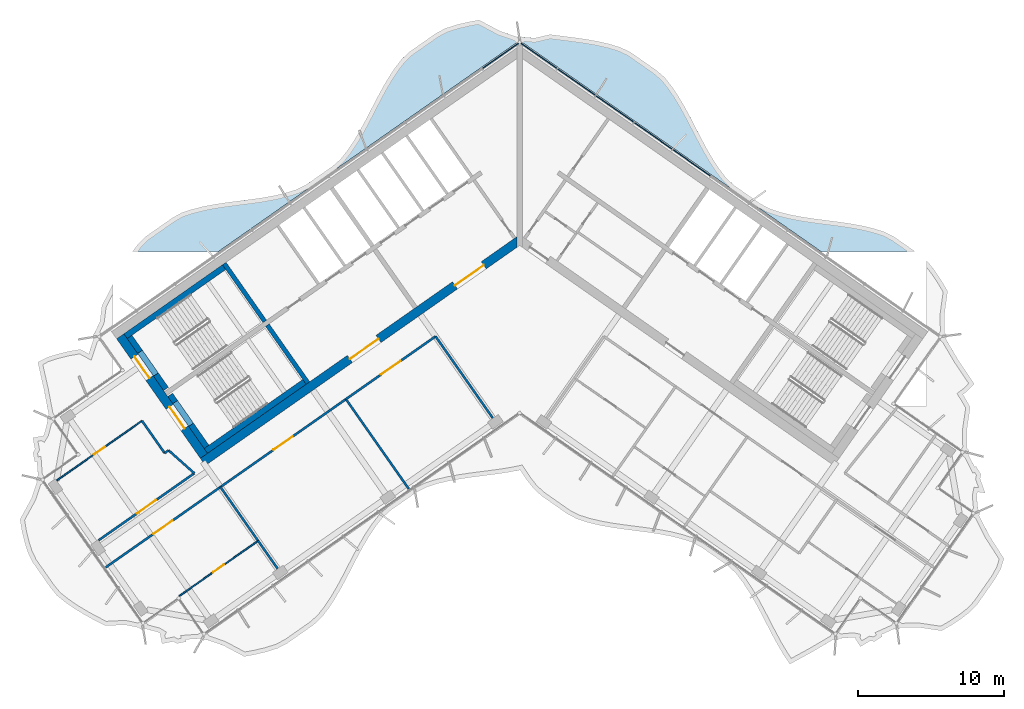
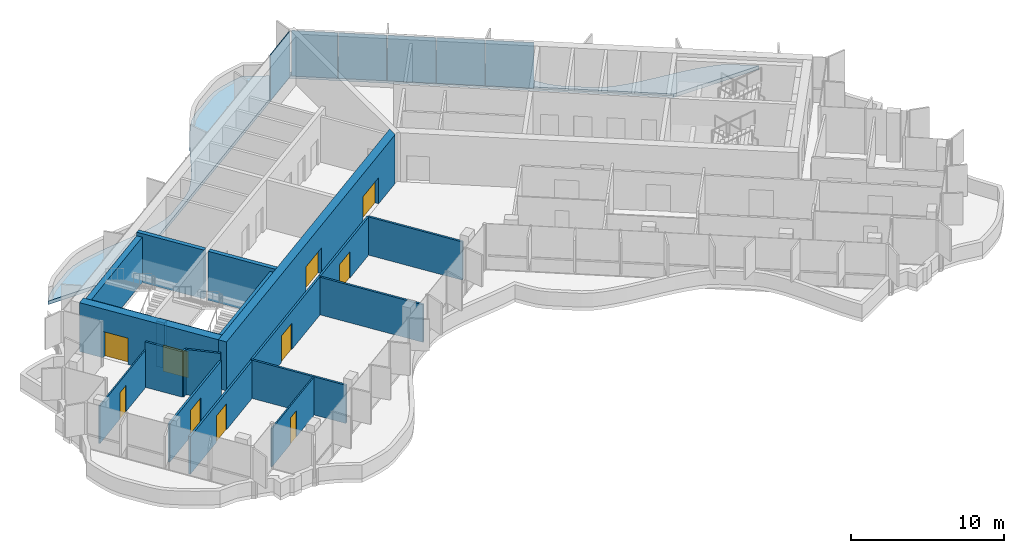
# One storey, part 9 of 18: 25 walls, 10 doors, 6 plates, 1 slab, 10 openings, 1 element without a shape of its own.
"""IFC4 building model written with IfcOpenShell, lengths in metres."""

from ifc_helpers import new_model, si_unit, direction, frame, frame_2d, origin, origin_2d, place, context, subcontext, project, spatial, polyline, rectangle, outline, extrude, material, layer, layer_set, type_object, element, fill, aggregate, save


model = new_model("IFC4")

# Units and contexts
model_context = context("Model", 3, precision=1e-05, world=origin(), true_north=direction((0.0, 1.0)))
body_context = subcontext(model_context, "Body", "Model", "MODEL_VIEW")
ifc_project = project(units=[si_unit("LENGTHUNIT", "METRE"), si_unit("AREAUNIT", "SQUARE_METRE"), si_unit("VOLUMEUNIT", "CUBIC_METRE"), si_unit("PLANEANGLEUNIT", "RADIAN"), si_unit("MASSUNIT", "GRAM", prefix="KILO")], contexts=[model_context])

# Site, building, storey
site_placement = place(None, origin())
site = spatial("IfcSite", under=ifc_project, at=site_placement, CompositionType="ELEMENT")
building_placement = place(site_placement, origin())
building = spatial("IfcBuilding", under=site, at=building_placement, Name="Tel Ilan Convention Tower", CompositionType="ELEMENT")
storey_placement = place(building_placement, frame((0.0, 0.0, 260.5)))
storey = spatial("IfcBuildingStorey", under=building, at=storey_placement, Name="L61", CompositionType="ELEMENT", Elevation=260.5)

# Curtain wall, plates
ifc_material_1 = material(Name="Aluminium, bronze anodised", Category="aluminium")
curtain_wall_type = type_object("IfcCurtainWallType", Name="CW2 STICK CURTAIN WALL, SPANDREL PANELS", PredefinedType="NOTDEFINED", material=ifc_material_1)
curtain_wall_placement = place(storey_placement, origin())
curtain_wall = element("IfcCurtainWall", 1, at=curtain_wall_placement, inside=storey, type_object=curtain_wall_type, Name="Curtain wall CW2-46.01", PredefinedType="NOTDEFINED")
ifc_material_2 = material(Name="Aluminium composite panel, bronze anodised", Category="aluminium")
ifc_layer_1 = layer(ifc_material_2, 0.06005859375)
ifc_layer_set_1 = layer_set([ifc_layer_1], Name="CW SPANDREL PANEL 60")
plate_type = type_object("IfcPlateType", Name="CW SPANDREL PANEL 60", PredefinedType="CURTAIN_PANEL", material=ifc_layer_set_1)
plate_1_placement = place(storey_placement, frame((11.789306640625, 4.44091796875, 0.0), z_axis=(0.0, 0.0, 1.0), x_axis=(-0.819152044289, 0.573576436351, 0.0)))
plate_1 = element("IfcPlate", 2, at=plate_1_placement, type_object=plate_type, Name="Spandrel panel", PredefinedType="CURTAIN_PANEL", context=body_context, shape_type="SweptSolid", body=[
    extrude(rectangle(XDim=3.15380859375, YDim=0.06005859375, at=origin_2d()), origin(), (0.0, 0.0, 1.0), 3.6201171875),
])
plate_2_placement = place(storey_placement, frame((9.15673828125, 6.284423828125, 0.0), z_axis=(0.0, 0.0, 1.0), x_axis=(-0.819152044289, 0.573576436351, 0.0)))
plate_2 = element("IfcPlate", 3, at=plate_2_placement, type_object=plate_type, Name="Spandrel panel", PredefinedType="CURTAIN_PANEL", context=body_context, shape_type="SweptSolid", body=[
    extrude(rectangle(XDim=3.15380859375, YDim=0.06005859375, at=origin_2d()), origin(), (0.0, 0.0, 1.0), 3.6201171875),
])
plate_3_placement = place(storey_placement, frame((6.524169921875, 8.127685546875, 0.0), z_axis=(0.0, 0.0, 1.0), x_axis=(-0.819152044289, 0.573576436351, 0.0)))
plate_3 = element("IfcPlate", 4, at=plate_3_placement, type_object=plate_type, Name="Spandrel panel", PredefinedType="CURTAIN_PANEL", context=body_context, shape_type="SweptSolid", body=[
    extrude(rectangle(XDim=3.15380859375, YDim=0.06005859375, at=origin_2d()), origin(), (0.0, 0.0, 1.0), 3.6201171875),
])
plate_4_placement = place(storey_placement, frame((3.8916015625, 9.97119140625, 0.0), z_axis=(0.0, 0.0, 1.0), x_axis=(-0.819152044289, 0.573576436351, 0.0)))
plate_4 = element("IfcPlate", 5, at=plate_4_placement, type_object=plate_type, Name="Spandrel panel", PredefinedType="CURTAIN_PANEL", context=body_context, shape_type="SweptSolid", body=[
    extrude(rectangle(XDim=3.15380859375, YDim=0.06005859375, at=origin_2d()), origin(), (0.0, 0.0, 1.0), 3.6201171875),
])
plate_5_placement = place(storey_placement, frame((1.303955078125, 11.782958984375, 0.0), z_axis=(0.0, 0.0, 1.0), x_axis=(-0.819152044289, 0.573576436351, 0.0)))
plate_5 = element("IfcPlate", 6, at=plate_5_placement, type_object=plate_type, Name="Spandrel panel", PredefinedType="CURTAIN_PANEL", context=body_context, shape_type="SweptSolid", body=[
    extrude(rectangle(XDim=3.0439453125, YDim=0.06005859375, at=origin_2d()), origin(), (0.0, 0.0, 1.0), 3.6201171875),
])
plate_6_placement = place(storey_placement, frame((-1.303955078125, 11.782958984375, 0.0), z_axis=(0.0, 0.0, 1.0), x_axis=(-0.819152044289, -0.573576436351, 0.0)))
plate_6 = element("IfcPlate", 7, at=plate_6_placement, type_object=plate_type, Name="Spandrel panel", PredefinedType="CURTAIN_PANEL", context=body_context, shape_type="SweptSolid", body=[
    extrude(rectangle(XDim=3.0439453125, YDim=0.06005859375, at=origin_2d()), origin(), (0.0, 0.0, 1.0), 3.6201171875),
])
aggregate(curtain_wall, [plate_1, plate_2, plate_3, plate_4, plate_5, plate_6])

# Slab
ifc_material_3 = material(Name="Concrete C40/50", Category="concrete")
ifc_layer_2 = layer(ifc_material_3, 0.280029296875)
ifc_layer_set_2 = layer_set([ifc_layer_2], Name="Edge Ledge Slab 280 mm C40/50")
slab_type = type_object("IfcSlabType", Name="Edge Ledge Slab 280 mm C40/50", PredefinedType="FLOOR", material=ifc_layer_set_2)
slab_placement = place(storey_placement, frame((0.0, 0.0, -0.280029296875)))
element("IfcSlab", 8, at=slab_placement, inside=storey, type_object=slab_type, Name="L61 edge ledge 2", PredefinedType="FLOOR", context=body_context, shape_type="SweptSolid", body=[
    extrude(outline(polyline([(-23.1982421875, 1.006591796875), (-22.4697265625, 1.250244140625), (-21.705322265625, 1.44287109375), (-20.91259765625, 1.594482421875), (-20.099365234375, 1.71728515625), (-19.275146484375, 1.824462890625), (-18.44970703125, 1.9296875), (-17.6328125, 2.047119140625), (-16.833984375, 2.18994140625), (-16.0615234375, 2.37109375), (-15.3232421875, 2.6005859375), (-14.651611328125, 2.92529296875), (-12.841552734375, 4.192626953125), (-12.284912109375, 4.681640625), (-11.809326171875, 5.28662109375), (-11.369140625, 5.94189453125), (-10.956787109375, 6.63720703125), (-10.564453125, 7.36083984375), (-10.182373046875, 8.09912109375), (-9.80078125, 8.83837890625), (-9.410400390625, 9.564697265625), (-9.001220703125, 10.264404296875), (-8.56494140625, 10.925537109375), (-8.094482421875, 11.53759765625), (-7.552001953125, 12.047119140625), (-5.7421875, 13.314208984375), (-5.0849609375, 13.66015625), (-4.3515625, 13.896484375), (-3.5830078125, 14.083251953125), (-2.785888671875, 14.228515625), (-1.357666015625, 13.472900390625), (-0.172119140625, 13.06396484375), (-0.168701171875, 13.05908203125), (-0.11474609375, 13.09521484375), (0.0, 13.1181640625), (0.11474609375, 13.09521484375), (0.168701171875, 13.05908203125), (0.172119140625, 13.06396484375), (1.02001953125, 12.99072265625), (2.08935546875, 13.234130859375), (2.913818359375, 13.12744140625), (3.739501953125, 13.0224609375), (4.55712890625, 12.90625), (5.357666015625, 12.765380859375), (6.132080078125, 12.587158203125), (6.872802734375, 12.361083984375), (7.552001953125, 12.047119140625), (9.36181640625, 10.77978515625), (9.925537109375, 10.300537109375), (10.403564453125, 9.69921875), (10.845947265625, 9.046875), (11.259521484375, 8.353515625), (11.653076171875, 7.631591796875), (12.035400390625, 6.893798828125), (12.416748046875, 6.154052734375), (12.806396484375, 5.426513671875), (13.214111328125, 4.724609375), (13.648193359375, 4.060791015625), (14.116455078125, 3.4453125), (14.651611328125, 2.92529296875), (16.46142578125, 1.657958984375), (17.111328125, 1.30224609375), (17.84228515625, 1.062255859375), (18.60888671875, 0.87255859375), (19.4033203125, 0.72314453125), (20.21728515625, 0.601806640625), (21.0419921875, 0.495361328125), (21.8671875, 0.3896484375), (22.68310546875, 0.27099609375), (23.480712890625, 0.1259765625), (24.2509765625, -0.057861328125), (24.987060546875, -0.290771484375), (25.6513671875, -0.626220703125), (27.087158203125, -1.631591796875), (20.63623046875, -1.631591796875), (0.0, 12.818115234375), (-20.63623046875, -1.631591796875), (-26.535888671875, -1.631591796875), (-26.1787109375, -1.156982421875), (-25.6513671875, -0.626220703125), (-23.84130859375, 0.64111328125), (-23.1982421875, 1.006591796875)])), origin(), (0.0, 0.0, 1.0), 0.280029296875),
])

# Walls
ifc_material_4 = material(Name="Concrete C40/50", Category="concrete")
ifc_layer_3 = layer(ifc_material_4, 0.300048828125)
ifc_layer_set_3 = layer_set([ifc_layer_3], Name="Core Shear Wall 300 mm C40/50")
wall_type_1 = type_object("IfcWallType", Name="Core Shear Wall 300 mm C40/50", PredefinedType="SHEAR", material=ifc_layer_set_3)
wall_1_placement = place(storey_placement, frame((-14.515380859375, -10.652099609375, 0.0), z_axis=(0.0, 0.0, 1.0), x_axis=(-0.573560315113, 0.819163332265, 0.0)))
element("IfcWall", 9, at=wall_1_placement, inside=storey, type_object=wall_type_1, Name="L61 core wall W-cross2-1", PredefinedType="SHEAR", context=body_context, shape_type="SweptSolid", body=[
    extrude(outline(polyline([(4.85009765625, 0.14990234375), (0.0, 0.14990234375), (0.0, -0.150146484375), (4.85009765625, -0.14990234375), (4.85009765625, 0.14990234375)])), origin(), (0.0, 0.0, 1.0), 3.89990234375),
])
wall_2_placement = place(storey_placement, frame((-17.46923828125, -6.433349609375, 0.0), z_axis=(0.0, 0.0, 1.0), x_axis=(-0.573594092424, 0.81913968109, 0.0)))
element("IfcWall", 10, at=wall_2_placement, inside=storey, type_object=wall_type_1, Name="L61 core wall W-cross2-2", PredefinedType="SHEAR", context=body_context, shape_type="SweptSolid", body=[
    extrude(outline(polyline([(4.849853515625, -0.150146484375), (4.849853515625, 0.14990234375), (0.0, 0.14990234375), (0.0, -0.14990234375), (4.849853515625, -0.150146484375)])), origin(), (0.0, 0.0, 1.0), 3.89990234375),
])

# Wall, openings, doors
ifc_material_5 = material(Name="Concrete C40/50", Category="concrete")
ifc_layer_4 = layer(ifc_material_5, 0.60009765625)
ifc_layer_set_4 = layer_set([ifc_layer_4], Name="Core Shear Wall 600 mm C40/50")
wall_type_2 = type_object("IfcWallType", Name="Core Shear Wall 600 mm C40/50", PredefinedType="SHEAR", material=ifc_layer_set_4)
wall_3_placement = place(storey_placement, frame((-0.02783203125, -0.8740234375, 0.0), z_axis=(0.0, 0.0, 1.0), x_axis=(-0.819150035022, -0.573579305871, 0.0)))
wall_3 = element("IfcWall", 11, at=wall_3_placement, inside=storey, type_object=wall_type_2, Name="L61 core wall W-front", PredefinedType="SHEAR", context=body_context, shape_type="SweptSolid", body=[
    extrude(outline(polyline([(26.475830078125, 0.2998046875), (0.420166015625, 0.300048828125), (0.000244140625, -0.300048828125), (26.475830078125, -0.300048828125), (26.475830078125, 0.2998046875)])), origin(), (0.0, 0.0, 1.0), 3.89990234375),
])
opening_1_placement = place(wall_3_placement, frame((2.975830078125, 0.0, 0.0)))
opening_1 = element("IfcOpeningElement", 12, at=opening_1_placement, cuts=wall_3, Name="Opening CD4606", PredefinedType="OPENING", context=body_context, shape_type="SweptSolid", body=[
    extrude(rectangle(XDim=2.39990234375, YDim=2.10009765625, at=frame_2d((1.199951171875, 1.050048828125))), frame((0.0, 0.31005859375, 0.0), z_axis=(0.0, -1.0, 0.0), x_axis=(1.0, 0.0, 0.0)), (0.0, 0.0, 1.0), 0.6201171875),
])
opening_2_placement = place(wall_3_placement, frame((11.77587890625, 0.0, 0.0)))
opening_2 = element("IfcOpeningElement", 13, at=opening_2_placement, cuts=wall_3, Name="Opening CD4607", PredefinedType="OPENING", context=body_context, shape_type="SweptSolid", body=[
    extrude(rectangle(XDim=2.39990234375, YDim=2.10009765625, at=frame_2d((1.199951171875, 1.050048828125))), frame((0.0, 0.31005859375, 0.0), z_axis=(0.0, -1.0, 0.0), x_axis=(1.0, 0.0, 0.0)), (0.0, 0.0, 1.0), 0.6201171875),
])
ifc_material_6 = material(Name="Glazed Aluminium Door Leaf", Category="aluminium")
door_type_1 = type_object("IfcDoorType", Name="Lobby Opening Door 2400 x 2100 FD60S", OperationType="NOTDEFINED", PredefinedType="DOOR", material=ifc_material_6)
door_1_placement = place(opening_1_placement, origin())
door_1 = element("IfcDoor", 14, at=door_1_placement, inside=storey, type_object=door_type_1, Name="Lift Lobby HR1-HR4 opening", OperationType="DOUBLE_DOOR_SINGLE_SWING", OverallHeight=2.10009765625, OverallWidth=2.39990234375, PredefinedType="DOOR", context=body_context, shape_type="SweptSolid", body=[
    extrude(rectangle(XDim=2.39990234375, YDim=2.10009765625, at=frame_2d((1.199951171875, 1.050048828125))), frame((0.0, 0.02490234375, 0.0), z_axis=(0.0, -1.0, 0.0), x_axis=(1.0, 0.0, 0.0)), (0.0, 0.0, 1.0), 0.050048828125),
])
fill(opening_1, door_1)
door_2_placement = place(opening_2_placement, origin())
door_2 = element("IfcDoor", 15, at=door_2_placement, inside=storey, type_object=door_type_1, Name="Lift Lobby HR5-HR6 opening", OperationType="DOUBLE_DOOR_SINGLE_SWING", OverallHeight=2.10009765625, OverallWidth=2.39990234375, PredefinedType="DOOR", context=body_context, shape_type="SweptSolid", body=[
    extrude(rectangle(XDim=2.39990234375, YDim=2.10009765625, at=frame_2d((1.199951171875, 1.050048828125))), frame((0.0, 0.02490234375, 0.0), z_axis=(0.0, -1.0, 0.0), x_axis=(1.0, 0.0, 0.0)), (0.0, 0.0, 1.0), 0.050048828125),
])
fill(opening_2, door_2)

wall_4_placement = place(storey_placement, frame((-21.641845703125, -15.64208984375, 0.0), z_axis=(0.0, 0.0, 1.0), x_axis=(-0.573586866468, 0.819144740944, 0.0)))
wall_4 = element("IfcWall", 16, at=wall_4_placement, inside=storey, type_object=wall_type_2, Name="L61 core wall W-end", PredefinedType="SHEAR", context=body_context, shape_type="SweptSolid", body=[
    extrude(outline(polyline([(0.0, 0.300048828125), (0.0, -0.2998046875), (10.0, -0.300048828125), (10.0, 0.300048828125), (0.0, 0.300048828125)])), origin(), (0.0, 0.0, 1.0), 3.89990234375),
])
opening_3_placement = place(wall_4_placement, frame((6.5, 0.0, 0.0)))
opening_3 = element("IfcOpeningElement", 17, at=opening_3_placement, cuts=wall_4, Name="Opening SD4601", PredefinedType="OPENING", context=body_context, shape_type="SweptSolid", body=[
    extrude(rectangle(XDim=1.800048828125, YDim=2.10009765625, at=frame_2d((0.89990234375, 1.050048828125))), frame((0.0, 0.31005859375, 0.0), z_axis=(0.0, -1.0, 0.0), x_axis=(1.0, 0.0, 0.0)), (0.0, 0.0, 1.0), 0.6201171875),
])
opening_4_placement = place(wall_4_placement, frame((2.300048828125, 0.0, 0.0)))
opening_4 = element("IfcOpeningElement", 18, at=opening_4_placement, cuts=wall_4, Name="Opening SD4602", PredefinedType="OPENING", context=body_context, shape_type="SweptSolid", body=[
    extrude(rectangle(XDim=1.800048828125, YDim=2.10009765625, at=frame_2d((0.89990234375, 1.050048828125))), frame((0.0, 0.31005859375, 0.0), z_axis=(0.0, -1.0, 0.0), x_axis=(1.0, 0.0, 0.0)), (0.0, 0.0, 1.0), 0.6201171875),
])
ifc_material_7 = material(Name="Galvanised Steel Door Leaf", Category="steel")
door_type_2 = type_object("IfcDoorType", Name="Stair Fire Door 1800 x 2100 FD60S", OperationType="NOTDEFINED", PredefinedType="DOOR", material=ifc_material_7)
door_3_placement = place(opening_3_placement, origin())
door_3 = element("IfcDoor", 19, at=door_3_placement, inside=storey, type_object=door_type_2, Name="Stair S1 door", OperationType="DOUBLE_DOOR_SINGLE_SWING", OverallHeight=2.10009765625, OverallWidth=1.800048828125, PredefinedType="DOOR", context=body_context, shape_type="SweptSolid", body=[
    extrude(rectangle(XDim=1.800048828125, YDim=2.10009765625, at=frame_2d((0.89990234375, 1.050048828125))), frame((0.0, 0.02490234375, 0.0), z_axis=(0.0, -1.0, 0.0), x_axis=(1.0, 0.0, 0.0)), (0.0, 0.0, 1.0), 0.050048828125),
])
fill(opening_3, door_3)
door_4_placement = place(opening_4_placement, origin())
door_4 = element("IfcDoor", 20, at=door_4_placement, inside=storey, type_object=door_type_2, Name="Stair S2 door", OperationType="DOUBLE_DOOR_SINGLE_SWING", OverallHeight=2.10009765625, OverallWidth=1.800048828125, PredefinedType="DOOR", context=body_context, shape_type="SweptSolid", body=[
    extrude(rectangle(XDim=1.800048828125, YDim=2.10009765625, at=frame_2d((0.89990234375, 1.050048828125))), frame((0.0, 0.02490234375, 0.0), z_axis=(0.0, -1.0, 0.0), x_axis=(1.0, 0.0, 0.0)), (0.0, 0.0, 1.0), 0.050048828125),
])
fill(opening_4, door_4)

# Wall, opening, door
ifc_material_8 = material(Name="Plasterboard on Steel Studs", Category="steel")
ifc_layer_5 = layer(ifc_material_8, 0.14990234375)
ifc_layer_set_5 = layer_set([ifc_layer_5], Name="Fire-rated Partition 150 EI 60")
wall_type_3 = type_object("IfcWallType", Name="Fire-rated Partition 150 EI 60", PredefinedType="PARTITIONING", material=ifc_layer_set_5)
wall_5_placement = place(storey_placement, frame((-28.858154296875, -21.428466796875, 0.0), z_axis=(0.0, 0.0, 1.0), x_axis=(0.819138799838, 0.573595350923, 0.0)))
wall_5 = element("IfcWall", 21, at=wall_5_placement, inside=storey, type_object=wall_type_3, Name="Partition 007", PredefinedType="PARTITIONING", context=body_context, shape_type="SweptSolid", body=[
    extrude(rectangle(XDim=8.007080078125, YDim=0.14990234375, at=frame_2d((4.00341796875, 0.0))), origin(), (0.0, 0.0, 1.0), 3.050048828125),
])
opening_5_placement = place(wall_5_placement, frame((3.20361328125, 0.0, 0.0)))
opening_5 = element("IfcOpeningElement", 22, at=opening_5_placement, cuts=wall_5, Name="Opening L59-005", PredefinedType="OPENING", context=body_context, shape_type="SweptSolid", body=[
    extrude(rectangle(XDim=1.60009765625, YDim=2.10009765625, at=frame_2d((0.800048828125, 1.050048828125))), frame((0.0, 0.0849609375, 0.0), z_axis=(0.0, -1.0, 0.0), x_axis=(1.0, 0.0, 0.0)), (0.0, 0.0, 1.0), 0.169921875),
])
ifc_material_9 = material(Name="Timber Door Leaf in Steel Frame", Category="steel")
door_type_3 = type_object("IfcDoorType", Name="Tenant Suite Entrance Fire Door 1600x2100", OperationType="NOTDEFINED", PredefinedType="DOOR", material=ifc_material_9)
door_5_placement = place(opening_5_placement, origin())
door_5 = element("IfcDoor", 23, at=door_5_placement, inside=storey, type_object=door_type_3, Name="Door L59-005", OperationType="DOUBLE_DOOR_SINGLE_SWING", OverallHeight=2.10009765625, OverallWidth=1.60009765625, PredefinedType="DOOR", context=body_context, shape_type="SweptSolid", body=[
    extrude(rectangle(XDim=1.60009765625, YDim=2.10009765625, at=frame_2d((0.800048828125, 1.050048828125))), frame((0.0, 0.02490234375, 0.0), z_axis=(0.0, -1.0, 0.0), x_axis=(1.0, 0.0, 0.0)), (0.0, 0.0, 1.0), 0.050048828125),
])
fill(opening_5, door_5)

wall_6_placement = place(storey_placement, frame((-5.766357421875, -7.455810546875, 0.0), z_axis=(0.0, 0.0, 1.0), x_axis=(-0.819150881364, -0.573578097177, 0.0)))
wall_6 = element("IfcWall", 24, at=wall_6_placement, inside=storey, type_object=wall_type_3, Name="Partition 008", PredefinedType="PARTITIONING", context=body_context, shape_type="SweptSolid", body=[
    extrude(rectangle(XDim=7.501953125, YDim=0.14990234375, at=frame_2d((3.7509765625, 0.0))), origin(), (0.0, 0.0, 1.0), 3.050048828125),
])
opening_6_placement = place(wall_6_placement, frame((2.950927734375, 0.0, 0.0)))
opening_6 = element("IfcOpeningElement", 25, at=opening_6_placement, cuts=wall_6, Name="Opening L59-001", PredefinedType="OPENING", context=body_context, shape_type="SweptSolid", body=[
    extrude(rectangle(XDim=1.60009765625, YDim=2.10009765625, at=frame_2d((0.800048828125, 1.050048828125))), frame((0.0, 0.0849609375, 0.0), z_axis=(0.0, -1.0, 0.0), x_axis=(1.0, 0.0, 0.0)), (0.0, 0.0, 1.0), 0.169921875),
])
door_6_placement = place(opening_6_placement, origin())
door_6 = element("IfcDoor", 26, at=door_6_placement, inside=storey, type_object=door_type_3, Name="Door L59-001", OperationType="DOUBLE_DOOR_SINGLE_SWING", OverallHeight=2.10009765625, OverallWidth=1.60009765625, PredefinedType="DOOR", context=body_context, shape_type="SweptSolid", body=[
    extrude(rectangle(XDim=1.60009765625, YDim=2.10009765625, at=frame_2d((0.800048828125, 1.050048828125))), frame((0.0, 0.02490234375, 0.0), z_axis=(0.0, -1.0, 0.0), x_axis=(1.0, 0.0, 0.0)), (0.0, 0.0, 1.0), 0.050048828125),
])
fill(opening_6, door_6)

wall_7_placement = place(storey_placement, frame((-11.908447265625, -11.756591796875, 0.0), z_axis=(0.0, 0.0, 1.0), x_axis=(-0.819156568366, -0.573569975245, 0.0)))
wall_7 = element("IfcWall", 27, at=wall_7_placement, inside=storey, type_object=wall_type_3, Name="Partition 009", PredefinedType="PARTITIONING", context=body_context, shape_type="SweptSolid", body=[
    extrude(rectangle(XDim=10.50390625, YDim=0.14990234375, at=frame_2d((5.251953125, 0.0))), origin(), (0.0, 0.0, 1.0), 3.050048828125),
])
opening_7_placement = place(wall_7_placement, frame((4.451904296875, 0.0, 0.0)))
opening_7 = element("IfcOpeningElement", 28, at=opening_7_placement, cuts=wall_7, Name="Opening L59-002", PredefinedType="OPENING", context=body_context, shape_type="SweptSolid", body=[
    extrude(rectangle(XDim=1.60009765625, YDim=2.10009765625, at=frame_2d((0.800048828125, 1.050048828125))), frame((0.0, 0.0849609375, 0.0), z_axis=(0.0, -1.0, 0.0), x_axis=(1.0, 0.0, 0.0)), (0.0, 0.0, 1.0), 0.169921875),
])
door_7_placement = place(opening_7_placement, origin())
door_7 = element("IfcDoor", 29, at=door_7_placement, inside=storey, type_object=door_type_3, Name="Door L59-002", OperationType="DOUBLE_DOOR_SINGLE_SWING", OverallHeight=2.10009765625, OverallWidth=1.60009765625, PredefinedType="DOOR", context=body_context, shape_type="SweptSolid", body=[
    extrude(rectangle(XDim=1.60009765625, YDim=2.10009765625, at=frame_2d((0.800048828125, 1.050048828125))), frame((0.0, 0.02490234375, 0.0), z_axis=(0.0, -1.0, 0.0), x_axis=(1.0, 0.0, 0.0)), (0.0, 0.0, 1.0), 0.050048828125),
])
fill(opening_7, door_7)

wall_8_placement = place(storey_placement, frame((-20.509521484375, -17.779052734375, 0.0), z_axis=(0.0, 0.0, 1.0), x_axis=(-0.819147101588, -0.573583495196, 0.0)))
wall_8 = element("IfcWall", 30, at=wall_8_placement, inside=storey, type_object=wall_type_3, Name="Partition 010", PredefinedType="PARTITIONING", context=body_context, shape_type="SweptSolid", body=[
    extrude(rectangle(XDim=9.60205078125, YDim=0.14990234375, at=frame_2d((4.801025390625, 0.0))), origin(), (0.0, 0.0, 1.0), 3.0),
])
opening_8_placement = place(wall_8_placement, frame((4.0009765625, 0.0, 0.0)))
opening_8 = element("IfcOpeningElement", 31, at=opening_8_placement, cuts=wall_8, Name="Opening L59-003", PredefinedType="OPENING", context=body_context, shape_type="SweptSolid", body=[
    extrude(rectangle(XDim=1.60009765625, YDim=2.10009765625, at=frame_2d((0.800048828125, 1.050048828125))), frame((0.0, 0.0849609375, 0.0), z_axis=(0.0, -1.0, 0.0), x_axis=(1.0, 0.0, 0.0)), (0.0, 0.0, 1.0), 0.169921875),
])
door_8_placement = place(opening_8_placement, origin())
door_8 = element("IfcDoor", 32, at=door_8_placement, inside=storey, type_object=door_type_3, Name="Door L59-003", OperationType="DOUBLE_DOOR_SINGLE_SWING", OverallHeight=2.10009765625, OverallWidth=1.60009765625, PredefinedType="DOOR", context=body_context, shape_type="SweptSolid", body=[
    extrude(rectangle(XDim=1.60009765625, YDim=2.10009765625, at=frame_2d((0.800048828125, 1.050048828125))), frame((0.0, 0.02490234375, 0.0), z_axis=(0.0, -1.0, 0.0), x_axis=(1.0, 0.0, 0.0)), (0.0, 0.0, 1.0), 0.050048828125),
])
fill(opening_8, door_8)

# Walls
wall_9_placement = place(storey_placement, frame((-1.848876953125, -13.050537109375, 0.0), z_axis=(0.0, 0.0, 1.0), x_axis=(-0.57357985571, 0.819149650018, 0.0)))
element("IfcWall", 33, at=wall_9_placement, inside=storey, type_object=wall_type_3, Name="Partition 027", PredefinedType="PARTITIONING", context=body_context, shape_type="SweptSolid", body=[
    extrude(rectangle(XDim=6.83203125, YDim=0.14990234375, at=frame_2d((3.416015625, 0.0))), origin(), (0.0, 0.0, 1.0), 3.050048828125),
])
wall_10_placement = place(storey_placement, frame((-24.337158203125, -15.4541015625, 0.0), z_axis=(0.0, 0.0, 1.0), x_axis=(-0.573571492575, 0.819155505936, 0.0)))
element("IfcWall", 34, at=wall_10_placement, inside=storey, type_object=wall_type_3, Name="Partition 028", PredefinedType="PARTITIONING", context=body_context, shape_type="SweptSolid", body=[
    extrude(rectangle(XDim=2.701904296875, YDim=0.14990234375, at=frame_2d((1.35107421875, 0.0))), origin(), (0.0, 0.0, 1.0), 3.6201171875),
])
wall_11_placement = place(storey_placement, frame((-22.2998046875, -16.83740234375, 0.0), z_axis=(0.0, 0.0, 1.0), x_axis=(-0.746942190663, 0.664888986078, 0.0)))
element("IfcWall", 35, at=wall_11_placement, inside=storey, type_object=wall_type_3, Name="Partition 029", PredefinedType="PARTITIONING", context=body_context, shape_type="SweptSolid", body=[
    extrude(rectangle(XDim=2.365478515625, YDim=0.14990234375, at=frame_2d((1.1826171875, 0.0))), origin(), (0.0, 0.0, 1.0), 3.6201171875),
])
wall_12_placement = place(storey_placement, frame((-24.066650390625, -15.2646484375, 0.0), z_axis=(0.0, 0.0, 1.0), x_axis=(-0.819092976344, -0.573660784876, 0.0)))
element("IfcWall", 36, at=wall_12_placement, inside=storey, type_object=wall_type_3, Name="Partition 030", PredefinedType="PARTITIONING", context=body_context, shape_type="SweptSolid", body=[
    extrude(rectangle(XDim=0.330322265625, YDim=0.14990234375, at=frame_2d((0.1650390625, 0.0))), origin(), (0.0, 0.0, 1.0), 3.6201171875),
])
wall_13_placement = place(storey_placement, frame((-7.608154296875, -17.9013671875, 0.0), z_axis=(0.0, 0.0, 1.0), x_axis=(-0.573560650686, 0.819163097304, 0.0)))
element("IfcWall", 37, at=wall_13_placement, inside=storey, type_object=wall_type_3, Name="Partition 032", PredefinedType="PARTITIONING", context=body_context, shape_type="SweptSolid", body=[
    extrude(rectangle(XDim=7.5, YDim=0.14990234375, at=frame_2d((3.75, 0.0))), origin(), (0.0, 0.0, 1.0), 3.0),
])
wall_14_placement = place(storey_placement, frame((-16.593505859375, -23.375, 0.0), z_axis=(0.0, 0.0, 1.0), x_axis=(-0.57362400197, 0.819118736426, 0.0)))
element("IfcWall", 38, at=wall_14_placement, inside=storey, type_object=wall_type_3, Name="Partition 033", PredefinedType="PARTITIONING", context=body_context, shape_type="SweptSolid", body=[
    extrude(rectangle(XDim=2.3310546875, YDim=0.14990234375, at=frame_2d((1.16552734375, 0.0))), origin(), (0.0, 0.0, 1.0), 3.050048828125),
])
wall_15_placement = place(storey_placement, frame((-17.928955078125, -21.468017578125, 0.0), z_axis=(0.0, 0.0, 1.0), x_axis=(-0.573553333433, 0.819168220641, 0.0)))
element("IfcWall", 39, at=wall_15_placement, inside=storey, type_object=wall_type_3, Name="Partition 034", PredefinedType="PARTITIONING", context=body_context, shape_type="SweptSolid", body=[
    extrude(rectangle(XDim=4.501708984375, YDim=0.14990234375, at=frame_2d((2.2509765625, 0.0))), origin(), (0.0, 0.0, 1.0), 3.050048828125),
])

# Wall, opening, door
ifc_material_10 = material(Name="Plasterboard on Steel Studs", Category="steel")
ifc_layer_6 = layer(ifc_material_10, 0.10009765625)
ifc_layer_set_6 = layer_set([ifc_layer_6], Name="Plasterboard Partition 100")
wall_type_4 = type_object("IfcWallType", Name="Plasterboard Partition 100", PredefinedType="PARTITIONING", material=ifc_layer_set_6)
wall_16_placement = place(storey_placement, frame((-31.72705078125, -17.331298828125, 0.0), z_axis=(0.0, 0.0, 1.0), x_axis=(0.819140241507, 0.573593292101, 0.0)))
wall_16 = element("IfcWall", 40, at=wall_16_placement, inside=storey, type_object=wall_type_4, Name="Partition 031", PredefinedType="PARTITIONING", context=body_context, shape_type="SweptSolid", body=[
    extrude(rectangle(XDim=7.1318359375, YDim=0.10009765625, at=frame_2d((3.56591796875, 0.0))), origin(), (0.0, 0.0, 1.0), 3.0),
])
opening_9_placement = place(wall_16_placement, frame((3.115966796875, 0.0, 0.0)))
opening_9 = element("IfcOpeningElement", 41, at=opening_9_placement, cuts=wall_16, Name="Opening L59-006", PredefinedType="OPENING", context=body_context, shape_type="SweptSolid", body=[
    extrude(rectangle(XDim=0.89990234375, YDim=2.10009765625, at=frame_2d((0.449951171875, 1.050048828125))), frame((0.0, 0.06005859375, 0.0), z_axis=(0.0, -1.0, 0.0), x_axis=(1.0, 0.0, 0.0)), (0.0, 0.0, 1.0), 0.1201171875),
])
ifc_material_11 = material(Name="Timber Door Leaf in Steel Frame", Category="steel")
door_type_4 = type_object("IfcDoorType", Name="Room Timber Door 900x2100", OperationType="NOTDEFINED", PredefinedType="DOOR", material=ifc_material_11)
door_9_placement = place(opening_9_placement, origin())
door_9 = element("IfcDoor", 42, at=door_9_placement, inside=storey, type_object=door_type_4, Name="Door L59-006", OperationType="SINGLE_SWING_RIGHT", OverallHeight=2.10009765625, OverallWidth=0.89990234375, PredefinedType="DOOR", context=body_context, shape_type="SweptSolid", body=[
    extrude(rectangle(XDim=0.89990234375, YDim=2.10009765625, at=frame_2d((0.449951171875, 1.050048828125))), frame((0.0, 0.02490234375, 0.0), z_axis=(0.0, -1.0, 0.0), x_axis=(1.0, 0.0, 0.0)), (0.0, 0.0, 1.0), 0.050048828125),
])
fill(opening_9, door_9)

wall_17_placement = place(storey_placement, frame((-17.929443359375, -21.46728515625, 0.0), z_axis=(0.0, 0.0, 1.0), x_axis=(-0.819158922237, -0.573566613498, 0.0)))
wall_17 = element("IfcWall", 43, at=wall_17_placement, inside=storey, type_object=wall_type_4, Name="Partition 035", PredefinedType="PARTITIONING", context=body_context, shape_type="SweptSolid", body=[
    extrude(rectangle(XDim=6.599853515625, YDim=0.10009765625, at=frame_2d((3.2998046875, 0.0))), origin(), (0.0, 0.0, 1.0), 3.050048828125),
])
opening_10_placement = place(wall_17_placement, frame((2.85009765625, 0.0, 0.0)))
opening_10 = element("IfcOpeningElement", 44, at=opening_10_placement, cuts=wall_17, Name="Opening L59-004", PredefinedType="OPENING", context=body_context, shape_type="SweptSolid", body=[
    extrude(rectangle(XDim=0.89990234375, YDim=2.10009765625, at=frame_2d((0.449951171875, 1.050048828125))), frame((0.0, 0.06005859375, 0.0), z_axis=(0.0, -1.0, 0.0), x_axis=(1.0, 0.0, 0.0)), (0.0, 0.0, 1.0), 0.1201171875),
])
door_10_placement = place(opening_10_placement, origin())
door_10 = element("IfcDoor", 45, at=door_10_placement, inside=storey, type_object=door_type_4, Name="Door L59-004", OperationType="SINGLE_SWING_LEFT", OverallHeight=2.10009765625, OverallWidth=0.89990234375, PredefinedType="DOOR", context=body_context, shape_type="SweptSolid", body=[
    extrude(rectangle(XDim=0.89990234375, YDim=2.10009765625, at=frame_2d((0.449951171875, 1.050048828125))), frame((0.0, 0.02490234375, 0.0), z_axis=(0.0, -1.0, 0.0), x_axis=(1.0, 0.0, 0.0)), (0.0, 0.0, 1.0), 0.050048828125),
])
fill(opening_10, door_10)

# Walls
ifc_material_12 = material(Name="Concrete C30/37", Category="concrete")
ifc_layer_7 = layer(ifc_material_12, 0.39990234375)
ifc_layer_set_7 = layer_set([ifc_layer_7], Name="Stair and Shaft Lining Wall 400 mm C30/37")
wall_type_5 = type_object("IfcWallType", Name="Stair and Shaft Lining Wall 400 mm C30/37", PredefinedType="SOLIDWALL", material=ifc_layer_set_7)
wall_18_placement = place(storey_placement, frame((-20.25927734375, -2.71044921875, 0.0), z_axis=(0.0, 0.0, 1.0), x_axis=(-0.81914849389, -0.573581506813, 0.0)))
element("IfcWall", 46, at=wall_18_placement, inside=storey, type_object=wall_type_5, Name="L61 core wall lining-S1-t1", PredefinedType="SOLIDWALL", context=body_context, shape_type="SweptSolid", body=[
    extrude(rectangle(XDim=8.249755859375, YDim=0.39990234375, at=frame_2d((4.125, 0.0))), origin(), (0.0, 0.0, 1.0), 3.6201171875),
])
wall_19_placement = place(storey_placement, frame((-24.24365234375, -11.0546875, 0.0), z_axis=(0.0, 0.0, 1.0), x_axis=(-0.573571582932, 0.819155442668, 0.0)))
element("IfcWall", 47, at=wall_19_placement, inside=storey, type_object=wall_type_5, Name="L61 core wall lining-S1-u1-0", PredefinedType="SOLIDWALL", context=body_context, shape_type="SweptSolid", body=[
    extrude(rectangle(XDim=1.199951171875, YDim=0.39990234375, at=frame_2d((0.60009765625, 0.0))), origin(), (0.0, 0.0, 1.0), 3.6201171875),
])
wall_20_placement = place(storey_placement, frame((-26.021728515625, -8.515380859375, 0.0), z_axis=(0.0, 0.0, 1.0), x_axis=(-0.573619628835, 0.819121798889, 0.0)))
element("IfcWall", 48, at=wall_20_placement, inside=storey, type_object=wall_type_5, Name="L61 core wall lining-S1-u1-1", PredefinedType="SOLIDWALL", context=body_context, shape_type="SweptSolid", body=[
    extrude(rectangle(XDim=1.25, YDim=0.39990234375, at=frame_2d((0.625, 0.0))), origin(), (0.0, 0.0, 1.0), 3.6201171875),
])
wall_21_placement = place(storey_placement, frame((-24.931884765625, -10.07177734375, 2.14990234375), z_axis=(0.0, 0.0, 1.0), x_axis=(-0.573591692345, 0.819141361715, 0.0)))
element("IfcWall", 49, at=wall_21_placement, inside=storey, type_object=wall_type_5, Name="L61 core wall lining-S1-u1-lintel", PredefinedType="SOLIDWALL", context=body_context, shape_type="SweptSolid", body=[
    extrude(rectangle(XDim=1.900146484375, YDim=0.39990234375, at=frame_2d((0.9501953125, 0.0))), origin(), (0.0, 0.0, 1.0), 1.47021484375),
])
wall_22_placement = place(storey_placement, frame((-14.7529296875, -10.57421875, 0.0), z_axis=(0.0, 0.0, 1.0), x_axis=(-0.819158229677, -0.573567602601, 0.0)))
element("IfcWall", 50, at=wall_22_placement, inside=storey, type_object=wall_type_5, Name="L61 core wall lining-S2-t0", PredefinedType="SOLIDWALL", context=body_context, shape_type="SweptSolid", body=[
    extrude(rectangle(XDim=8.25, YDim=0.39990234375, at=frame_2d((4.125, 0.0))), origin(), (0.0, 0.0, 1.0), 3.6201171875),
])
wall_23_placement = place(storey_placement, frame((-21.4619140625, -15.027587890625, 0.0), z_axis=(0.0, 0.0, 1.0), x_axis=(-0.573559770908, 0.819163713305, 0.0)))
element("IfcWall", 51, at=wall_23_placement, inside=storey, type_object=wall_type_5, Name="L61 core wall lining-S2-u1-0", PredefinedType="SOLIDWALL", context=body_context, shape_type="SweptSolid", body=[
    extrude(rectangle(XDim=1.849853515625, YDim=0.39990234375, at=frame_2d((0.9248046875, 0.0))), origin(), (0.0, 0.0, 1.0), 3.6201171875),
])
wall_24_placement = place(storey_placement, frame((-23.61279296875, -11.955810546875, 0.0), z_axis=(0.0, 0.0, 1.0), x_axis=(-0.573435029941, 0.819251039936, 0.0)))
element("IfcWall", 52, at=wall_24_placement, inside=storey, type_object=wall_type_5, Name="L61 core wall lining-S2-u1-1", PredefinedType="SOLIDWALL", context=body_context, shape_type="SweptSolid", body=[
    extrude(rectangle(XDim=0.599853515625, YDim=0.39990234375, at=frame_2d((0.2998046875, 0.0))), origin(), (0.0, 0.0, 1.0), 3.6201171875),
])
wall_25_placement = place(storey_placement, frame((-22.52294921875, -13.51220703125, 2.14990234375), z_axis=(0.0, 0.0, 1.0), x_axis=(-0.573591692345, 0.819141361715, 0.0)))
element("IfcWall", 53, at=wall_25_placement, inside=storey, type_object=wall_type_5, Name="L61 core wall lining-S2-u1-lintel", PredefinedType="SOLIDWALL", context=body_context, shape_type="SweptSolid", body=[
    extrude(rectangle(XDim=1.900146484375, YDim=0.39990234375, at=frame_2d((0.9501953125, 0.0))), origin(), (0.0, 0.0, 1.0), 1.47021484375),
])

save(model, "model.ifc")
